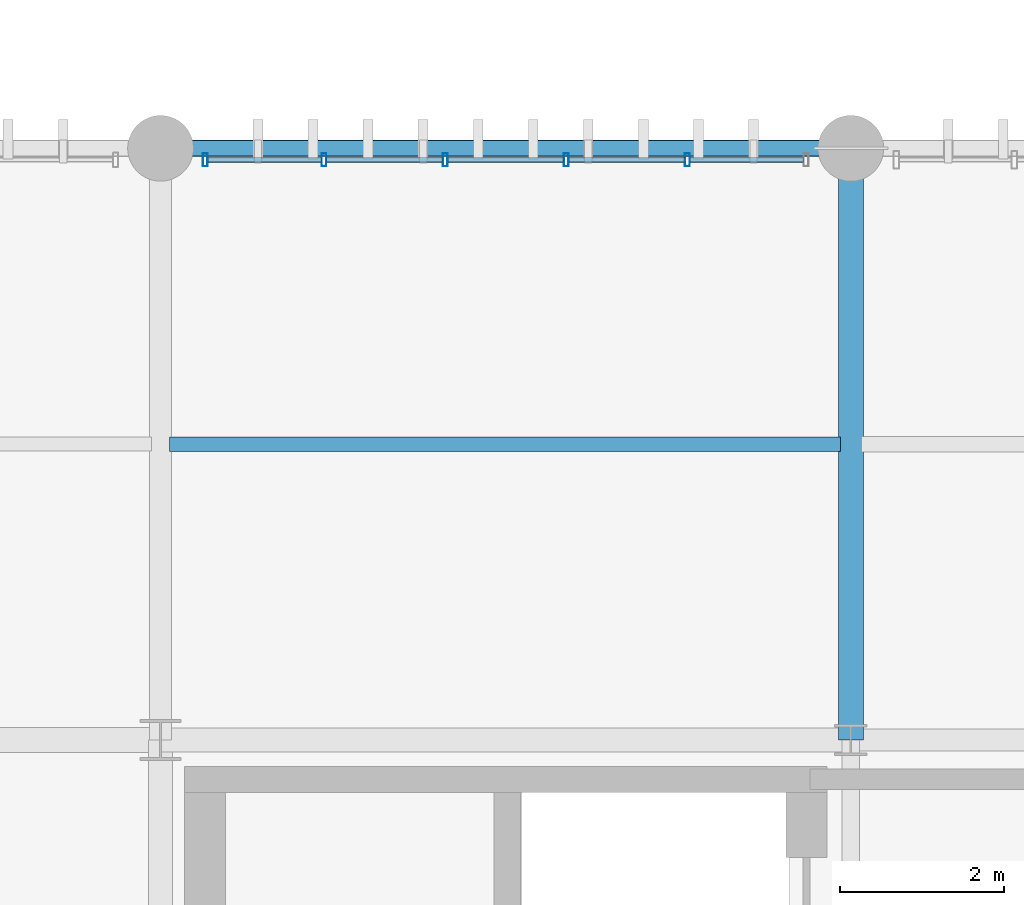
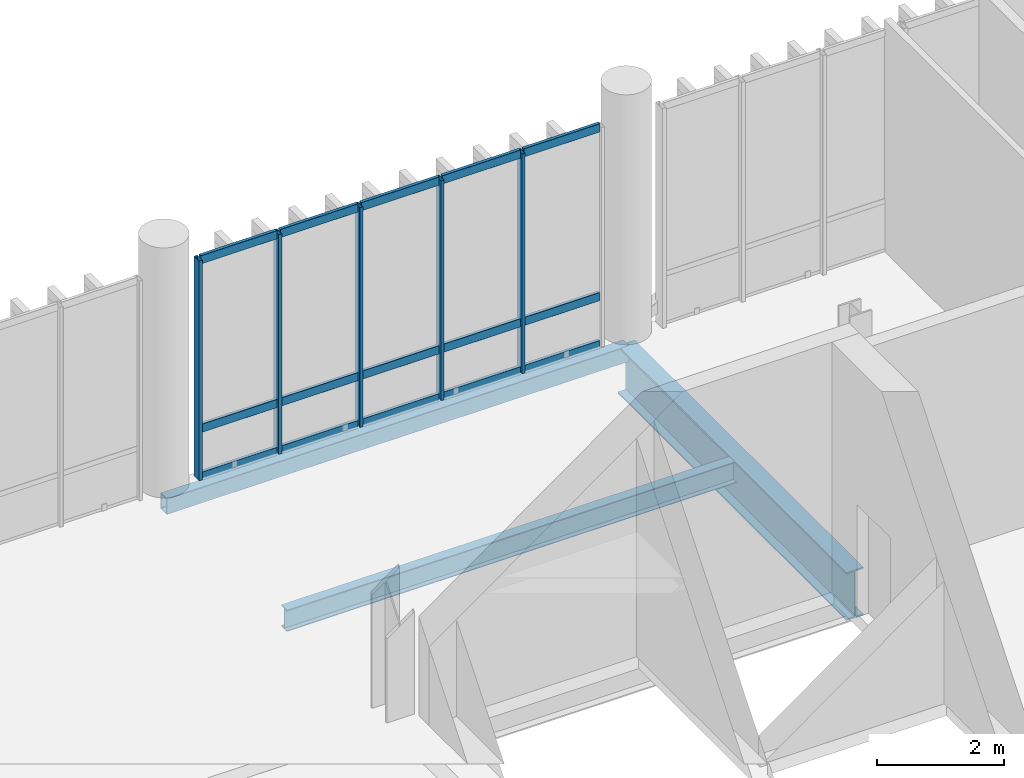
# One storey, part 42 of 109: 20 members, 3 beams, 1 element without a shape of its own.
"""IFC4 building model written with IfcOpenShell, lengths in metres."""

from ifc_helpers import new_model, si_unit, direction, frame, origin_with_axes, origin_2d_with_axis, place, context, subcontext, project, spatial, hollow_rectangle, i_section, extrude, material, material_profile, profile_set, type_object, element, aggregate, save


model = new_model("IFC4")

# Units and contexts
model_context = context("Model", 3, precision=1e-05, world=origin_with_axes(), true_north=direction((0.0, 1.0)))
body_context = subcontext(model_context, "Body", "Model", "MODEL_VIEW")
ifc_project = project(units=[si_unit("LENGTHUNIT", "METRE"), si_unit("AREAUNIT", "SQUARE_METRE"), si_unit("VOLUMEUNIT", "CUBIC_METRE"), si_unit("PLANEANGLEUNIT", "RADIAN"), si_unit("MASSUNIT", "GRAM", prefix="KILO"), si_unit("THERMODYNAMICTEMPERATUREUNIT", "KELVIN")], contexts=[model_context])

# Site, building, storey
site_placement = place(None, origin_with_axes())
site = spatial("IfcSite", under=ifc_project, at=site_placement, CompositionType="ELEMENT")
building_placement = place(site_placement, origin_with_axes())
building = spatial("IfcBuilding", under=site, at=building_placement, Name="Montbau Bow Law Courts", CompositionType="ELEMENT")
storey_placement = place(building_placement, frame((0.0, 0.0, 10.8), z_axis=(0.0, 0.0, 1.0), x_axis=(1.0, 0.0, 0.0)))
storey = spatial("IfcBuildingStorey", under=building, at=storey_placement, Name="L02", CompositionType="ELEMENT", Elevation=10.8)

# Beams
ifc_material_1 = material(Name="Steel CSA G40.21 Grade 350W (350 MPa)", Category="steel")
ifc_material_profile_1 = material_profile(ifc_material_1, i_section(OverallWidth=0.306, OverallDepth=0.919, WebThickness=0.0173, FlangeThickness=0.0279, at=origin_2d_with_axis()), Name="W920X253", Category="Main", Priority=0)
ifc_profile_set_1 = profile_set([ifc_material_profile_1], Name="Steel CSA G40.21 Grade 350W (350 MPa)")
beam_type_1 = type_object("IfcBeamType", Name="B-FLR-01", PredefinedType="BEAM", material=ifc_profile_set_1)
beam_1_placement = place(None, frame((63.6, 54.6, 10.101), z_axis=(0.0, 1.0, 0.0), x_axis=(-1.0, 0.0, 0.0)))
element("IfcBeam", 1, at=beam_1_placement, inside=storey, type_object=beam_type_1, Name="BM-L02-S0863:bm2_0866", PredefinedType="BEAM", context=body_context, shape_type="SweptSolid", body=[
    extrude(i_section(OverallWidth=0.306, OverallDepth=0.919, WebThickness=0.0173, FlangeThickness=0.0279, at=origin_2d_with_axis()), origin_with_axes(), (0.0, 0.0, 1.0), 7.2),
])
ifc_material_profile_2 = material_profile(ifc_material_1, i_section(OverallWidth=0.179, OverallDepth=0.41, WebThickness=0.0088, FlangeThickness=0.0144, at=origin_2d_with_axis()), Name="W410X67", Category="Main", Priority=0)
ifc_profile_set_2 = profile_set([ifc_material_profile_2], Name="Steel CSA G40.21 Grade 350W (350 MPa)")
beam_type_2 = type_object("IfcBeamType", Name="B-JST-02", PredefinedType="JOIST", material=ifc_profile_set_2)
beam_2_placement = place(None, frame((55.309, 58.2, 10.355), z_axis=(1.0, 0.0, 0.0), x_axis=(0.0, 1.0, 0.0)))
element("IfcBeam", 2, at=beam_2_placement, inside=storey, type_object=beam_type_2, Name="JST-L02-S0441:jst2_0441", PredefinedType="JOIST", context=body_context, shape_type="SweptSolid", body=[
    extrude(i_section(OverallWidth=0.179, OverallDepth=0.41, WebThickness=0.0088, FlangeThickness=0.0144, at=origin_2d_with_axis()), origin_with_axes(), (0.0, 0.0, 1.0), 8.162),
])
ifc_material_2 = material(Name="Steel CSA G40.21 Grade 350WT (350 MPa)", Category="steel")
ifc_material_profile_3 = material_profile(ifc_material_2, hollow_rectangle(XDim=0.203, YDim=0.305, WallThickness=0.0127, InnerFilletRadius=0.0254, OuterFilletRadius=0.0127, at=origin_2d_with_axis()), Name="HSS305X203X13", Category="Main", Priority=0)
ifc_profile_set_3 = profile_set([ifc_material_profile_3], Name="Steel CSA G40.21 Grade 350WT (350 MPa)")
beam_type_3 = type_object("IfcBeamType", Name="B-SPN-02", PredefinedType="SPANDREL", material=ifc_profile_set_3)
beam_3_placement = place(None, frame((55.2, 61.8, 10.408), z_axis=(1.0, 0.0, 0.0), x_axis=(0.0, 1.0, 0.0)))
element("IfcBeam", 3, at=beam_3_placement, inside=storey, type_object=beam_type_3, Name="SPN-L02-S0852:bm2_0855", PredefinedType="SPANDREL", context=body_context, shape_type="SweptSolid", body=[
    extrude(hollow_rectangle(XDim=0.203, YDim=0.305, WallThickness=0.0127, InnerFilletRadius=0.0254, OuterFilletRadius=0.0127, at=origin_2d_with_axis()), origin_with_axes(), (0.0, 0.0, 1.0), 8.4),
])

# Curtain wall, members
ifc_material_3 = material(Name="Thermally Broken Extruded Aluminium AA 6063-T6", Category="aluminium")
curtain_wall_type = type_object("IfcCurtainWallType", Name="CW-CRM-01", PredefinedType="NOTDEFINED", material=ifc_material_3)
curtain_wall_placement = place(None, frame((55.715, 61.66, 10.8), z_axis=(0.0, 0.0, 1.0), x_axis=(1.0, 0.0, 0.0)))
curtain_wall = element("IfcCurtainWall", 4, at=curtain_wall_placement, inside=storey, type_object=curtain_wall_type, Name="CW-L02-164:cw_0164", PredefinedType="NOTDEFINED")
ifc_material_profile_4 = material_profile(ifc_material_3, hollow_rectangle(XDim=0.06, YDim=0.16, WallThickness=0.004, InnerFilletRadius=0.008, OuterFilletRadius=0.004, at=origin_2d_with_axis()), Name="CWM-160X60", Category="Main", Priority=0)
ifc_profile_set_4 = profile_set([ifc_material_profile_4], Name="Thermally Broken Extruded Aluminium AA 6063-T6")
member_type_1 = type_object("IfcMemberType", Name="M-MUL-03", PredefinedType="MULLION", material=ifc_profile_set_4)
member_1_placement = place(None, frame((55.745, 61.66, 10.8), z_axis=(0.0, 0.0, 1.0), x_axis=(1.0, 0.0, 0.0)))
member_1 = element("IfcMember", 5, at=member_1_placement, type_object=member_type_1, Name="CW-L02-164-M01:cw_0164_M01", PredefinedType="MULLION", context=body_context, shape_type="SweptSolid", body=[
    extrude(hollow_rectangle(XDim=0.06, YDim=0.16, WallThickness=0.004, InnerFilletRadius=0.008, OuterFilletRadius=0.004, at=origin_2d_with_axis()), origin_with_axes(), (0.0, 0.0, 1.0), 4.22),
])
member_2_placement = place(None, frame((57.189, 61.66, 10.8), z_axis=(0.0, 0.0, 1.0), x_axis=(1.0, 0.0, 0.0)))
member_2 = element("IfcMember", 6, at=member_2_placement, type_object=member_type_1, Name="CW-L02-164-M02:cw_0164_M02", PredefinedType="MULLION", context=body_context, shape_type="SweptSolid", body=[
    extrude(hollow_rectangle(XDim=0.06, YDim=0.16, WallThickness=0.004, InnerFilletRadius=0.008, OuterFilletRadius=0.004, at=origin_2d_with_axis()), origin_with_axes(), (0.0, 0.0, 1.0), 4.22),
])
member_3_placement = place(None, frame((58.663, 61.66, 10.8), z_axis=(0.0, 0.0, 1.0), x_axis=(1.0, 0.0, 0.0)))
member_3 = element("IfcMember", 7, at=member_3_placement, type_object=member_type_1, Name="CW-L02-164-M03:cw_0164_M03", PredefinedType="MULLION", context=body_context, shape_type="SweptSolid", body=[
    extrude(hollow_rectangle(XDim=0.06, YDim=0.16, WallThickness=0.004, InnerFilletRadius=0.008, OuterFilletRadius=0.004, at=origin_2d_with_axis()), origin_with_axes(), (0.0, 0.0, 1.0), 4.22),
])
member_4_placement = place(None, frame((60.137, 61.66, 10.8), z_axis=(0.0, 0.0, 1.0), x_axis=(1.0, 0.0, 0.0)))
member_4 = element("IfcMember", 8, at=member_4_placement, type_object=member_type_1, Name="CW-L02-164-M04:cw_0164_M04", PredefinedType="MULLION", context=body_context, shape_type="SweptSolid", body=[
    extrude(hollow_rectangle(XDim=0.06, YDim=0.16, WallThickness=0.004, InnerFilletRadius=0.008, OuterFilletRadius=0.004, at=origin_2d_with_axis()), origin_with_axes(), (0.0, 0.0, 1.0), 4.22),
])
member_5_placement = place(None, frame((61.611, 61.66, 10.8), z_axis=(0.0, 0.0, 1.0), x_axis=(1.0, 0.0, 0.0)))
member_5 = element("IfcMember", 9, at=member_5_placement, type_object=member_type_1, Name="CW-L02-164-M05:cw_0164_M05", PredefinedType="MULLION", context=body_context, shape_type="SweptSolid", body=[
    extrude(hollow_rectangle(XDim=0.06, YDim=0.16, WallThickness=0.004, InnerFilletRadius=0.008, OuterFilletRadius=0.004, at=origin_2d_with_axis()), origin_with_axes(), (0.0, 0.0, 1.0), 4.22),
])
ifc_material_profile_5 = material_profile(ifc_material_3, hollow_rectangle(XDim=0.06, YDim=0.16, WallThickness=0.004, InnerFilletRadius=0.008, OuterFilletRadius=0.004, at=origin_2d_with_axis()), Name="CWT-160X60", Category="Main", Priority=0)
ifc_profile_set_5 = profile_set([ifc_material_profile_5], Name="Thermally Broken Extruded Aluminium AA 6063-T6")
member_type_2 = type_object("IfcMemberType", Name="M-TRN-01", PredefinedType="USERDEFINED", material=ifc_profile_set_5)
member_6_placement = place(None, frame((55.777, 61.66, 10.83), z_axis=(1.0, 0.0, 0.0), x_axis=(0.0, 1.0, 0.0)))
member_6 = element("IfcMember", 10, at=member_6_placement, type_object=member_type_2, Name="CW-L02-164-T01-1:cw_0164_T01_1", ObjectType="TRANSOM", PredefinedType="USERDEFINED", context=body_context, shape_type="SweptSolid", body=[
    extrude(hollow_rectangle(XDim=0.06, YDim=0.16, WallThickness=0.004, InnerFilletRadius=0.008, OuterFilletRadius=0.004, at=origin_2d_with_axis()), origin_with_axes(), (0.0, 0.0, 1.0), 1.38),
])
member_7_placement = place(None, frame((55.777, 61.66, 11.75), z_axis=(1.0, 0.0, 0.0), x_axis=(0.0, 1.0, 0.0)))
member_7 = element("IfcMember", 11, at=member_7_placement, type_object=member_type_2, Name="CW-L02-164-T01-2:cw_0164_T01_2", ObjectType="TRANSOM", PredefinedType="USERDEFINED", context=body_context, shape_type="SweptSolid", body=[
    extrude(hollow_rectangle(XDim=0.06, YDim=0.16, WallThickness=0.004, InnerFilletRadius=0.008, OuterFilletRadius=0.004, at=origin_2d_with_axis()), origin_with_axes(), (0.0, 0.0, 1.0), 1.38),
])
member_8_placement = place(None, frame((55.777, 61.66, 14.99), z_axis=(1.0, 0.0, 0.0), x_axis=(0.0, 1.0, 0.0)))
member_8 = element("IfcMember", 12, at=member_8_placement, type_object=member_type_2, Name="CW-L02-164-T01-3:cw_0164_T01_3", ObjectType="TRANSOM", PredefinedType="USERDEFINED", context=body_context, shape_type="SweptSolid", body=[
    extrude(hollow_rectangle(XDim=0.06, YDim=0.16, WallThickness=0.004, InnerFilletRadius=0.008, OuterFilletRadius=0.004, at=origin_2d_with_axis()), origin_with_axes(), (0.0, 0.0, 1.0), 1.38),
])
member_9_placement = place(None, frame((57.221, 61.66, 10.83), z_axis=(1.0, 0.0, 0.0), x_axis=(0.0, 1.0, 0.0)))
member_9 = element("IfcMember", 13, at=member_9_placement, type_object=member_type_2, Name="CW-L02-164-T02-1:cw_0164_T02_1", ObjectType="TRANSOM", PredefinedType="USERDEFINED", context=body_context, shape_type="SweptSolid", body=[
    extrude(hollow_rectangle(XDim=0.06, YDim=0.16, WallThickness=0.004, InnerFilletRadius=0.008, OuterFilletRadius=0.004, at=origin_2d_with_axis()), origin_with_axes(), (0.0, 0.0, 1.0), 1.41),
])
member_10_placement = place(None, frame((57.221, 61.66, 11.75), z_axis=(1.0, 0.0, 0.0), x_axis=(0.0, 1.0, 0.0)))
member_10 = element("IfcMember", 14, at=member_10_placement, type_object=member_type_2, Name="CW-L02-164-T02-2:cw_0164_T02_2", ObjectType="TRANSOM", PredefinedType="USERDEFINED", context=body_context, shape_type="SweptSolid", body=[
    extrude(hollow_rectangle(XDim=0.06, YDim=0.16, WallThickness=0.004, InnerFilletRadius=0.008, OuterFilletRadius=0.004, at=origin_2d_with_axis()), origin_with_axes(), (0.0, 0.0, 1.0), 1.41),
])
member_11_placement = place(None, frame((57.221, 61.66, 14.99), z_axis=(1.0, 0.0, 0.0), x_axis=(0.0, 1.0, 0.0)))
member_11 = element("IfcMember", 15, at=member_11_placement, type_object=member_type_2, Name="CW-L02-164-T02-3:cw_0164_T02_3", ObjectType="TRANSOM", PredefinedType="USERDEFINED", context=body_context, shape_type="SweptSolid", body=[
    extrude(hollow_rectangle(XDim=0.06, YDim=0.16, WallThickness=0.004, InnerFilletRadius=0.008, OuterFilletRadius=0.004, at=origin_2d_with_axis()), origin_with_axes(), (0.0, 0.0, 1.0), 1.41),
])
member_12_placement = place(None, frame((58.695, 61.66, 10.83), z_axis=(1.0, 0.0, 0.0), x_axis=(0.0, 1.0, 0.0)))
member_12 = element("IfcMember", 16, at=member_12_placement, type_object=member_type_2, Name="CW-L02-164-T03-1:cw_0164_T03_1", ObjectType="TRANSOM", PredefinedType="USERDEFINED", context=body_context, shape_type="SweptSolid", body=[
    extrude(hollow_rectangle(XDim=0.06, YDim=0.16, WallThickness=0.004, InnerFilletRadius=0.008, OuterFilletRadius=0.004, at=origin_2d_with_axis()), origin_with_axes(), (0.0, 0.0, 1.0), 1.41),
])
member_13_placement = place(None, frame((58.695, 61.66, 11.75), z_axis=(1.0, 0.0, 0.0), x_axis=(0.0, 1.0, 0.0)))
member_13 = element("IfcMember", 17, at=member_13_placement, type_object=member_type_2, Name="CW-L02-164-T03-2:cw_0164_T03_2", ObjectType="TRANSOM", PredefinedType="USERDEFINED", context=body_context, shape_type="SweptSolid", body=[
    extrude(hollow_rectangle(XDim=0.06, YDim=0.16, WallThickness=0.004, InnerFilletRadius=0.008, OuterFilletRadius=0.004, at=origin_2d_with_axis()), origin_with_axes(), (0.0, 0.0, 1.0), 1.41),
])
member_14_placement = place(None, frame((58.695, 61.66, 14.99), z_axis=(1.0, 0.0, 0.0), x_axis=(0.0, 1.0, 0.0)))
member_14 = element("IfcMember", 18, at=member_14_placement, type_object=member_type_2, Name="CW-L02-164-T03-3:cw_0164_T03_3", ObjectType="TRANSOM", PredefinedType="USERDEFINED", context=body_context, shape_type="SweptSolid", body=[
    extrude(hollow_rectangle(XDim=0.06, YDim=0.16, WallThickness=0.004, InnerFilletRadius=0.008, OuterFilletRadius=0.004, at=origin_2d_with_axis()), origin_with_axes(), (0.0, 0.0, 1.0), 1.41),
])
member_15_placement = place(None, frame((60.169, 61.66, 10.83), z_axis=(1.0, 0.0, 0.0), x_axis=(0.0, 1.0, 0.0)))
member_15 = element("IfcMember", 19, at=member_15_placement, type_object=member_type_2, Name="CW-L02-164-T04-1:cw_0164_T04_1", ObjectType="TRANSOM", PredefinedType="USERDEFINED", context=body_context, shape_type="SweptSolid", body=[
    extrude(hollow_rectangle(XDim=0.06, YDim=0.16, WallThickness=0.004, InnerFilletRadius=0.008, OuterFilletRadius=0.004, at=origin_2d_with_axis()), origin_with_axes(), (0.0, 0.0, 1.0), 1.41),
])
member_16_placement = place(None, frame((60.169, 61.66, 11.75), z_axis=(1.0, 0.0, 0.0), x_axis=(0.0, 1.0, 0.0)))
member_16 = element("IfcMember", 20, at=member_16_placement, type_object=member_type_2, Name="CW-L02-164-T04-2:cw_0164_T04_2", ObjectType="TRANSOM", PredefinedType="USERDEFINED", context=body_context, shape_type="SweptSolid", body=[
    extrude(hollow_rectangle(XDim=0.06, YDim=0.16, WallThickness=0.004, InnerFilletRadius=0.008, OuterFilletRadius=0.004, at=origin_2d_with_axis()), origin_with_axes(), (0.0, 0.0, 1.0), 1.41),
])
member_17_placement = place(None, frame((60.169, 61.66, 14.99), z_axis=(1.0, 0.0, 0.0), x_axis=(0.0, 1.0, 0.0)))
member_17 = element("IfcMember", 21, at=member_17_placement, type_object=member_type_2, Name="CW-L02-164-T04-3:cw_0164_T04_3", ObjectType="TRANSOM", PredefinedType="USERDEFINED", context=body_context, shape_type="SweptSolid", body=[
    extrude(hollow_rectangle(XDim=0.06, YDim=0.16, WallThickness=0.004, InnerFilletRadius=0.008, OuterFilletRadius=0.004, at=origin_2d_with_axis()), origin_with_axes(), (0.0, 0.0, 1.0), 1.41),
])
member_18_placement = place(None, frame((61.643, 61.66, 10.83), z_axis=(1.0, 0.0, 0.0), x_axis=(0.0, 1.0, 0.0)))
member_18 = element("IfcMember", 22, at=member_18_placement, type_object=member_type_2, Name="CW-L02-164-T05-1:cw_0164_T05_1", ObjectType="TRANSOM", PredefinedType="USERDEFINED", context=body_context, shape_type="SweptSolid", body=[
    extrude(hollow_rectangle(XDim=0.06, YDim=0.16, WallThickness=0.004, InnerFilletRadius=0.008, OuterFilletRadius=0.004, at=origin_2d_with_axis()), origin_with_axes(), (0.0, 0.0, 1.0), 1.38),
])
member_19_placement = place(None, frame((61.643, 61.66, 11.75), z_axis=(1.0, 0.0, 0.0), x_axis=(0.0, 1.0, 0.0)))
member_19 = element("IfcMember", 23, at=member_19_placement, type_object=member_type_2, Name="CW-L02-164-T05-2:cw_0164_T05_2", ObjectType="TRANSOM", PredefinedType="USERDEFINED", context=body_context, shape_type="SweptSolid", body=[
    extrude(hollow_rectangle(XDim=0.06, YDim=0.16, WallThickness=0.004, InnerFilletRadius=0.008, OuterFilletRadius=0.004, at=origin_2d_with_axis()), origin_with_axes(), (0.0, 0.0, 1.0), 1.38),
])
member_20_placement = place(None, frame((61.643, 61.66, 14.99), z_axis=(1.0, 0.0, 0.0), x_axis=(0.0, 1.0, 0.0)))
member_20 = element("IfcMember", 24, at=member_20_placement, type_object=member_type_2, Name="CW-L02-164-T05-3:cw_0164_T05_3", ObjectType="TRANSOM", PredefinedType="USERDEFINED", context=body_context, shape_type="SweptSolid", body=[
    extrude(hollow_rectangle(XDim=0.06, YDim=0.16, WallThickness=0.004, InnerFilletRadius=0.008, OuterFilletRadius=0.004, at=origin_2d_with_axis()), origin_with_axes(), (0.0, 0.0, 1.0), 1.38),
])
aggregate(curtain_wall, [member_1, member_2, member_3, member_4, member_5, member_6, member_7, member_8, member_9, member_10, member_11, member_12, member_13, member_14, member_15, member_16, member_17, member_18, member_19, member_20])

save(model, "model.ifc")
